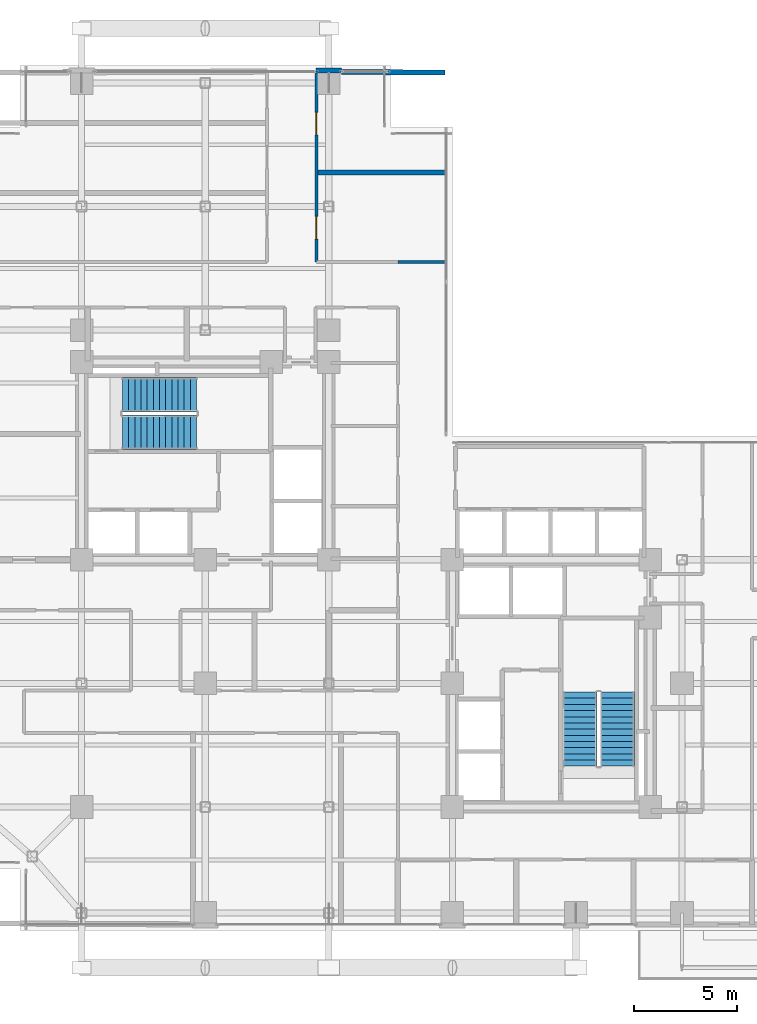
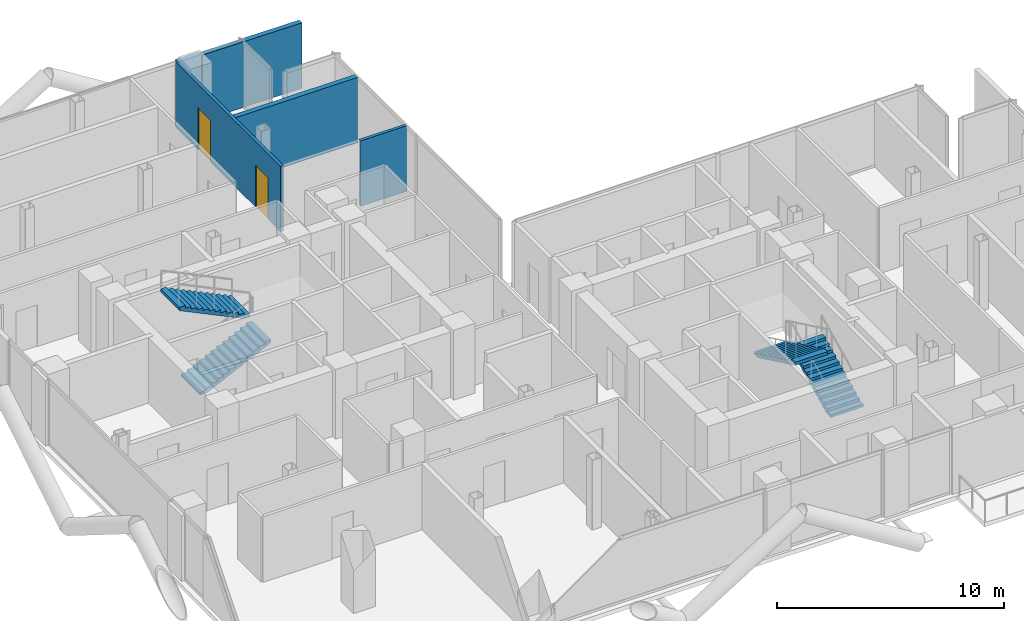
# One storey, part 25 of 28: 5 walls, 4 stair flights, 2 doors, 2 openings, 2 elements without a shape of their own.
"""IFC4 building model written with IfcOpenShell, lengths in metres."""

from ifc_helpers import new_model, si_unit, direction, frame, frame_2d, origin, place, context, subcontext, project, spatial, polyline, rectangle, outline, extrude, material, layer, layer_set, type_object, element, fill, aggregate, save


model = new_model("IFC4")

# Units and contexts
model_context = context("Model", 3, precision=1e-05, world=origin(), true_north=direction((0.0, 1.0)))
body_context = subcontext(model_context, "Body", "Model", "MODEL_VIEW")
ifc_project = project(units=[si_unit("LENGTHUNIT", "METRE"), si_unit("AREAUNIT", "SQUARE_METRE"), si_unit("VOLUMEUNIT", "CUBIC_METRE"), si_unit("PLANEANGLEUNIT", "RADIAN"), si_unit("MASSUNIT", "GRAM", prefix="KILO"), si_unit("THERMODYNAMICTEMPERATUREUNIT", "KELVIN"), si_unit("POWERUNIT", "WATT")], contexts=[model_context])

# Site, building, storey
site_placement = place(None, origin())
site = spatial("IfcSite", under=ifc_project, at=site_placement, CompositionType="ELEMENT")
building_placement = place(site_placement, origin())
building = spatial("IfcBuilding", under=site, at=building_placement, Name="Svarakhadi Broadcast Tower", CompositionType="ELEMENT")
storey_placement = place(building_placement, frame((0.0, 0.0, 134.39990234375)))
storey = spatial("IfcBuildingStorey", under=building, at=storey_placement, Name="L32", CompositionType="ELEMENT", Elevation=134.39990234375)

# Walls
ifc_material_1 = material(Name="Double-Stud Acoustic Studio Partition STC-62", Category="gypsum")
ifc_layer_1 = layer(ifc_material_1, 0.25)
ifc_layer_set_1 = layer_set([ifc_layer_1], Name="Double-Stud Acoustic Studio Partition STC-62")
wall_type_1 = type_object("IfcWallType", Name="Wall_Acoust_250", PredefinedType="PARTITIONING", material=ifc_layer_set_1)
wall_1_placement = place(storey_placement, frame((17.39990234375, 36.800048828125, 0.0), z_axis=(0.0, 0.0, 1.0), x_axis=(1.0, 0.0, 0.0)))
element("IfcWall", 1, at=wall_1_placement, inside=storey, type_object=wall_type_1, Name="L32 Executive Producer Office Wall", PredefinedType="PARTITIONING", context=body_context, shape_type="SweptSolid", body=[
    extrude(rectangle(XDim=6.300048828125, YDim=0.25, at=frame_2d((3.14990234375, 0.0))), origin(), (0.0, 0.0, 1.0), 3.525146484375),
])
wall_2_placement = place(storey_placement, frame((18.614990234375, 41.690185546875, 0.0), z_axis=(0.0, 0.0, 1.0), x_axis=(0.99996799533, -0.008000519771, 0.0)))
element("IfcWall", 2, at=wall_2_placement, inside=storey, type_object=wall_type_1, Name="L32 Pantry and Copy Room Wall", PredefinedType="PARTITIONING", context=body_context, shape_type="SweptSolid", body=[
    extrude(rectangle(XDim=5.03515625, YDim=0.25, at=frame_2d((2.517578125, 0.0))), origin(), (0.0, 0.0, 1.0), 3.525146484375),
])
ifc_material_2 = material(Name="Concrete C40/50 (IS 456 M50)", Category="concrete")
ifc_layer_2 = layer(ifc_material_2, 0.239990234375)
ifc_layer_set_2 = layer_set([ifc_layer_2], Name="Concrete C40/50 (IS 456 M50)")
wall_type_2 = type_object("IfcWallType", Name="Wall_Ext_240", PredefinedType="SOLIDWALL", material=ifc_layer_set_2)
wall_3_placement = place(storey_placement, frame((17.385009765625, 41.760009765625, 0.0), z_axis=(0.0, 0.0, 1.0), x_axis=(1.0, 0.0, 0.0)))
element("IfcWall", 3, at=wall_3_placement, inside=storey, type_object=wall_type_2, Name="L32 Perimeter Bronze Spandrel Closure Wall 04", PredefinedType="SOLIDWALL", context=body_context, shape_type="SweptSolid", body=[
    extrude(rectangle(XDim=1.22998046875, YDim=0.239990234375, at=frame_2d((0.614990234375, 0.0))), origin(), (0.0, 0.0, 1.0), 3.525146484375),
])

# Wall, openings, doors
ifc_material_3 = material(Name="Autoclaved Aerated Concrete Blockwork 150 mm", Category="masonry")
ifc_layer_3 = layer(ifc_material_3, 0.14990234375)
ifc_layer_set_3 = layer_set([ifc_layer_3], Name="Autoclaved Aerated Concrete Blockwork 150 mm")
wall_type_3 = type_object("IfcWallType", Name="Wall_Part_150", PredefinedType="PARTITIONING", material=ifc_layer_set_3)
wall_4_placement = place(storey_placement, frame((17.39990234375, 41.699951171875, 0.0), z_axis=(0.0, 0.0, 1.0), x_axis=(0.0, -1.0, 0.0)))
wall_4 = element("IfcWall", 4, at=wall_4_placement, inside=storey, type_object=wall_type_3, Name="L32 Zone 2/3 Corridor Wall", PredefinedType="PARTITIONING", context=body_context, shape_type="SweptSolid", body=[
    extrude(rectangle(XDim=9.25, YDim=0.14990234375, at=frame_2d((4.625, 0.0))), origin(), (0.0, 0.0, 1.0), 3.525146484375),
])
opening_1_placement = place(wall_4_placement, frame((7.030029296875, 0.0, 0.0)))
opening_1 = element("IfcOpeningElement", 5, at=opening_1_placement, cuts=wall_4, Name="Opening D-11", PredefinedType="OPENING", context=body_context, shape_type="SweptSolid", body=[
    extrude(rectangle(XDim=1.10009765625, YDim=2.25, at=frame_2d((0.550048828125, 1.125))), frame((0.0, 0.0849609375, 0.0), z_axis=(0.0, -1.0, 0.0), x_axis=(1.0, 0.0, 0.0)), (0.0, 0.0, 1.0), 0.169921875),
])
opening_2_placement = place(wall_4_placement, frame((1.97509765625, 0.0, 0.0)))
opening_2 = element("IfcOpeningElement", 6, at=opening_2_placement, cuts=wall_4, Name="Opening D-11", PredefinedType="OPENING", context=body_context, shape_type="SweptSolid", body=[
    extrude(rectangle(XDim=1.10009765625, YDim=2.25, at=frame_2d((0.550048828125, 1.125))), frame((0.0, 0.0849609375, 0.0), z_axis=(0.0, -1.0, 0.0), x_axis=(1.0, 0.0, 0.0)), (0.0, 0.0, 1.0), 0.169921875),
])
ifc_material_4 = material(Name="Solid-Core Teak Veneer Acoustic Timber Leaf", Category="wood")
door_type = type_object("IfcDoorType", Name="Door_Acoust_D11", OperationType="SINGLE_SWING_RIGHT", PredefinedType="DOOR", material=ifc_material_4)
door_1_placement = place(opening_1_placement, origin())
door_1 = element("IfcDoor", 7, at=door_1_placement, inside=storey, type_object=door_type, Name="L32 Executive Producer Office Door", OperationType="SINGLE_SWING_RIGHT", OverallHeight=2.25, OverallWidth=1.10009765625, PredefinedType="DOOR", context=body_context, shape_type="SweptSolid", body=[
    extrude(rectangle(XDim=1.10009765625, YDim=2.25, at=frame_2d((0.550048828125, 1.125))), frame((0.0, 0.02490234375, 0.0), z_axis=(0.0, -1.0, 0.0), x_axis=(1.0, 0.0, 0.0)), (0.0, 0.0, 1.0), 0.050048828125),
])
fill(opening_1, door_1)
door_2_placement = place(opening_2_placement, origin())
door_2 = element("IfcDoor", 8, at=door_2_placement, inside=storey, type_object=door_type, Name="L32 Pantry and Copy Room Door", OperationType="SINGLE_SWING_RIGHT", OverallHeight=2.25, OverallWidth=1.10009765625, PredefinedType="DOOR", context=body_context, shape_type="SweptSolid", body=[
    extrude(rectangle(XDim=1.10009765625, YDim=2.25, at=frame_2d((0.550048828125, 1.125))), frame((0.0, 0.02490234375, 0.0), z_axis=(0.0, -1.0, 0.0), x_axis=(1.0, 0.0, 0.0)), (0.0, 0.0, 1.0), 0.050048828125),
])
fill(opening_2, door_2)

# Wall
wall_5_placement = place(storey_placement, frame((21.35009765625, 32.449951171875, 0.0), z_axis=(0.0, 0.0, 1.0), x_axis=(1.0, 0.0, 0.0)))
element("IfcWall", 9, at=wall_5_placement, inside=storey, type_object=wall_type_3, Name="L32 Zone 2/3 Corridor Wall", PredefinedType="PARTITIONING", context=body_context, shape_type="SweptSolid", body=[
    extrude(rectangle(XDim=2.349853515625, YDim=0.14990234375, at=frame_2d((1.1748046875, 0.0))), origin(), (0.0, 0.0, 1.0), 3.525146484375),
])

# Stair, stair flights
stair_type = type_object("IfcStairType", Name="Stair_Exit_Core", PredefinedType="HALF_TURN_STAIR", material=ifc_material_2)
stair_1_placement = place(storey_placement, origin())
stair_1 = element("IfcStair", 10, at=stair_1_placement, inside=storey, type_object=stair_type, Name="L32 West Core Protected Exit Stair ST-01", PredefinedType="HALF_TURN_STAIR")
stair_flight_type = type_object("IfcStairFlightType", Name="Flight_RC_1680", PredefinedType="STRAIGHT", material=ifc_material_2)
stair_flight_1_placement = place(storey_placement, frame((7.97998046875, 24.18994140625, 0.0), z_axis=(0.0, 0.0, 1.0), x_axis=(1.0, 0.0, 0.0)))
stair_flight_1 = element("IfcStairFlight", 11, at=stair_flight_1_placement, type_object=stair_flight_type, Name="ST-01 flight 1", NumberOfRisers=13, NumberOfTreads=12, PredefinedType="STRAIGHT", RiserHeight=0.144230769, TreadLength=0.3, context=body_context, shape_type="SweptSolid", body=[
    extrude(outline(polyline([(0.0, 0.0), (0.0, 0.144287109375), (0.300048828125, 0.144287109375), (0.300048828125, 0.28857421875), (0.60009765625, 0.28857421875), (0.60009765625, 0.4326171875), (0.89990234375, 0.4326171875), (0.89990234375, 0.576904296875), (1.199951171875, 0.576904296875), (1.199951171875, 0.72119140625), (1.5, 0.72119140625), (1.5, 0.865478515625), (1.800048828125, 0.865478515625), (1.800048828125, 1.009521484375), (2.10009765625, 1.009521484375), (2.10009765625, 1.15380859375), (2.39990234375, 1.15380859375), (2.39990234375, 1.298095703125), (2.699951171875, 1.298095703125), (2.699951171875, 1.4423828125), (3.0, 1.4423828125), (3.0, 1.58642578125), (3.300048828125, 1.58642578125), (3.300048828125, 1.730712890625), (3.60009765625, 1.730712890625), (3.60009765625, 1.875), (3.60009765625, 1.564453125), (0.345947265625, 0.0), (0.0, 0.0)])), frame((0.0, 0.830078125, 0.0), z_axis=(0.0, -1.0, 0.0), x_axis=(1.0, 0.0, 0.0)), (0.0, 0.0, 1.0), 1.659912109375),
])
stair_flight_2_placement = place(storey_placement, frame((11.580078125, 26.010009765625, 1.875), z_axis=(0.0, 0.0, 1.0), x_axis=(-1.0, 0.0, 0.0)))
stair_flight_2 = element("IfcStairFlight", 12, at=stair_flight_2_placement, type_object=stair_flight_type, Name="ST-01 flight 2", NumberOfRisers=13, NumberOfTreads=12, PredefinedType="STRAIGHT", RiserHeight=0.144230769, TreadLength=0.3, context=body_context, shape_type="SweptSolid", body=[
    extrude(outline(polyline([(0.0, 0.0), (0.0, 0.144287109375), (0.300048828125, 0.144287109375), (0.300048828125, 0.28857421875), (0.60009765625, 0.28857421875), (0.60009765625, 0.4326171875), (0.89990234375, 0.4326171875), (0.89990234375, 0.576904296875), (1.199951171875, 0.576904296875), (1.199951171875, 0.72119140625), (1.5, 0.72119140625), (1.5, 0.865478515625), (1.800048828125, 0.865478515625), (1.800048828125, 1.009521484375), (2.10009765625, 1.009521484375), (2.10009765625, 1.15380859375), (2.39990234375, 1.15380859375), (2.39990234375, 1.298095703125), (2.699951171875, 1.298095703125), (2.699951171875, 1.4423828125), (3.0, 1.4423828125), (3.0, 1.58642578125), (3.300048828125, 1.58642578125), (3.300048828125, 1.730712890625), (3.60009765625, 1.730712890625), (3.60009765625, 1.875), (3.60009765625, 1.564453125), (0.345947265625, 0.0), (0.0, 0.0)])), frame((0.0, 0.830078125, 0.0), z_axis=(0.0, -1.0, 0.0), x_axis=(1.0, 0.0, 0.0)), (0.0, 0.0, 1.0), 1.659912109375),
])
aggregate(stair_1, [stair_flight_1, stair_flight_2])

stair_2_placement = place(storey_placement, origin())
stair_2 = element("IfcStair", 13, at=stair_2_placement, inside=storey, type_object=stair_type, Name="L32 East Core Protected Exit Stair ST-02", PredefinedType="HALF_TURN_STAIR")
stair_flight_3_placement = place(storey_placement, frame((32.010009765625, 7.97998046875, 0.0), z_axis=(0.0, 0.0, 1.0), x_axis=(0.0, 1.0, 0.0)))
stair_flight_3 = element("IfcStairFlight", 14, at=stair_flight_3_placement, type_object=stair_flight_type, Name="ST-02 flight 1", NumberOfRisers=13, NumberOfTreads=12, PredefinedType="STRAIGHT", RiserHeight=0.144230769, TreadLength=0.3, context=body_context, shape_type="SweptSolid", body=[
    extrude(outline(polyline([(0.0, 0.0), (0.0, 0.144287109375), (0.300048828125, 0.144287109375), (0.300048828125, 0.28857421875), (0.60009765625, 0.28857421875), (0.60009765625, 0.4326171875), (0.89990234375, 0.4326171875), (0.89990234375, 0.576904296875), (1.199951171875, 0.576904296875), (1.199951171875, 0.72119140625), (1.5, 0.72119140625), (1.5, 0.865478515625), (1.800048828125, 0.865478515625), (1.800048828125, 1.009521484375), (2.10009765625, 1.009521484375), (2.10009765625, 1.15380859375), (2.39990234375, 1.15380859375), (2.39990234375, 1.298095703125), (2.699951171875, 1.298095703125), (2.699951171875, 1.4423828125), (3.0, 1.4423828125), (3.0, 1.58642578125), (3.300048828125, 1.58642578125), (3.300048828125, 1.730712890625), (3.60009765625, 1.730712890625), (3.60009765625, 1.875), (3.60009765625, 1.564453125), (0.345947265625, 0.0), (0.0, 0.0)])), frame((0.0, 0.830078125, 0.0), z_axis=(0.0, -1.0, 0.0), x_axis=(1.0, 0.0, 0.0)), (0.0, 0.0, 1.0), 1.659912109375),
])
stair_flight_4_placement = place(storey_placement, frame((30.18994140625, 11.580078125, 1.875), z_axis=(0.0, 0.0, 1.0), x_axis=(0.0, -1.0, 0.0)))
stair_flight_4 = element("IfcStairFlight", 15, at=stair_flight_4_placement, type_object=stair_flight_type, Name="ST-02 flight 2", NumberOfRisers=13, NumberOfTreads=12, PredefinedType="STRAIGHT", RiserHeight=0.144230769, TreadLength=0.3, context=body_context, shape_type="SweptSolid", body=[
    extrude(outline(polyline([(0.0, 0.0), (0.0, 0.144287109375), (0.300048828125, 0.144287109375), (0.300048828125, 0.28857421875), (0.60009765625, 0.28857421875), (0.60009765625, 0.4326171875), (0.89990234375, 0.4326171875), (0.89990234375, 0.576904296875), (1.199951171875, 0.576904296875), (1.199951171875, 0.72119140625), (1.5, 0.72119140625), (1.5, 0.865478515625), (1.800048828125, 0.865478515625), (1.800048828125, 1.009521484375), (2.10009765625, 1.009521484375), (2.10009765625, 1.15380859375), (2.39990234375, 1.15380859375), (2.39990234375, 1.298095703125), (2.699951171875, 1.298095703125), (2.699951171875, 1.4423828125), (3.0, 1.4423828125), (3.0, 1.58642578125), (3.300048828125, 1.58642578125), (3.300048828125, 1.730712890625), (3.60009765625, 1.730712890625), (3.60009765625, 1.875), (3.60009765625, 1.564453125), (0.345947265625, 0.0), (0.0, 0.0)])), frame((0.0, 0.830078125, 0.0), z_axis=(0.0, -1.0, 0.0), x_axis=(1.0, 0.0, 0.0)), (0.0, 0.0, 1.0), 1.659912109375),
])
aggregate(stair_2, [stair_flight_3, stair_flight_4])

save(model, "model.ifc")
